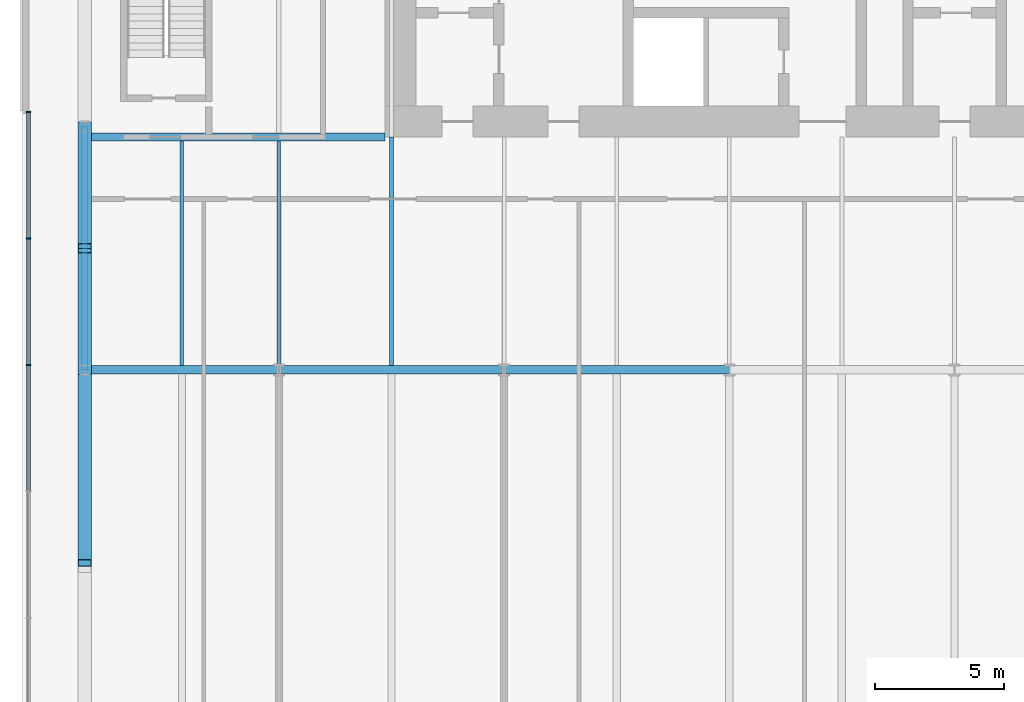
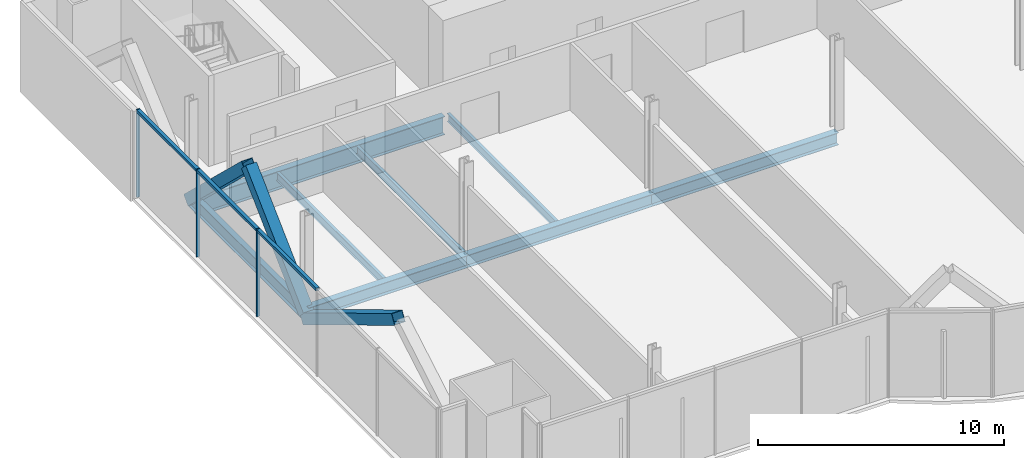
# One storey, part 6 of 21: 9 members, 8 beams, 1 element without a shape of its own.
"""IFC4 building model written with IfcOpenShell, lengths in metres."""

from ifc_helpers import new_model, si_unit, direction, frame, origin, origin_2d, place, context, subcontext, project, spatial, rectangle, hollow_rectangle, i_section, extrude, material, material_profile, profile_set, type_object, element, aggregate, save


model = new_model("IFC4")

# Units and contexts
model_context = context("Model", 3, precision=1e-05, world=origin(), true_north=direction((0.0, 1.0)))
body_context = subcontext(model_context, "Body", "Model", "MODEL_VIEW")
ifc_project = project(units=[si_unit("LENGTHUNIT", "METRE"), si_unit("AREAUNIT", "SQUARE_METRE"), si_unit("VOLUMEUNIT", "CUBIC_METRE"), si_unit("PLANEANGLEUNIT", "RADIAN"), si_unit("MASSUNIT", "GRAM", prefix="KILO")], contexts=[model_context])

# Site, building, storey
site_placement = place(None, origin())
site = spatial("IfcSite", under=ifc_project, at=site_placement, CompositionType="ELEMENT")
building_placement = place(site_placement, origin())
building = spatial("IfcBuilding", under=site, at=building_placement, Name="Bicima Exchange Tower", CompositionType="ELEMENT")
storey_placement = place(building_placement, frame((0.0, 0.0, 75.5)))
storey = spatial("IfcBuildingStorey", under=building, at=storey_placement, Name="L15", CompositionType="ELEMENT", Elevation=75.5)

# Beam
ifc_material_1 = material(Name="Steel ASTM A992 Gr 50", Category="steel")
ifc_material_profile_1 = material_profile(ifc_material_1, i_section(OverallWidth=0.3046875, OverallDepth=0.911865234375, WebThickness=0.015869140625, FlangeThickness=0.02392578125, at=origin_2d()))
ifc_profile_set_1 = profile_set([ifc_material_profile_1], Name="Steel ASTM A992 Gr 50")
beam_type_1 = type_object("IfcBeamType", Name="Core-line girder W36x150", PredefinedType="BEAM", material=ifc_profile_set_1)
beam_1_placement = place(storey_placement, frame((-22.0, -13.0, -0.60595703125), z_axis=(-1.0, 0.0, 0.0), x_axis=(0.0, -1.0, 0.0)))
element("IfcBeam", 1, at=beam_1_placement, inside=storey, type_object=beam_type_1, Name="Core-line girder", PredefinedType="BEAM", context=body_context, shape_type="SweptSolid", body=[
    extrude(i_section(OverallWidth=0.3046875, OverallDepth=0.911865234375, WebThickness=0.015869140625, FlangeThickness=0.02392578125, at=origin_2d()), origin(), (0.0, 0.0, 1.0), 11.60009765625),
])

# Curtain wall, members
ifc_material_2 = material(Name="Anodised bronze aluminium", Category="aluminium")
curtain_wall_type = type_object("IfcCurtainWallType", Name="End face glass wall", PredefinedType="NOTDEFINED", material=ifc_material_2)
curtain_wall_placement = place(storey_placement, origin())
curtain_wall = element("IfcCurtainWall", 2, at=curtain_wall_placement, inside=storey, type_object=curtain_wall_type, Name="End face glass wall L15 run 2", PredefinedType="NOTDEFINED")
ifc_material_profile_2 = material_profile(ifc_material_2, rectangle(XDim=0.159912109375, YDim=0.06005859375, at=origin_2d()))
ifc_profile_set_2 = profile_set([ifc_material_profile_2], Name="Anodised bronze aluminium")
member_type_1 = type_object("IfcMemberType", Name="End face glass wall mullion 60 x 160", PredefinedType="MULLION", material=ifc_profile_set_2)
member_1_placement = place(storey_placement, frame((-35.77001953125, -12.030029296875, 0.0), z_axis=(0.0, 0.0, 1.0), x_axis=(1.0, 0.0, 0.0)))
member_1 = element("IfcMember", 3, at=member_1_placement, type_object=member_type_1, Name="End face glass wall mullion 1", PredefinedType="MULLION", context=body_context, shape_type="SweptSolid", body=[
    extrude(rectangle(XDim=0.159912109375, YDim=0.06005859375, at=origin_2d()), origin(), (0.0, 0.0, 1.0), 4.35009765625),
])
member_2_placement = place(storey_placement, frame((-35.77001953125, -16.916748046875, 0.0), z_axis=(0.0, 0.0, 1.0), x_axis=(1.0, 0.0, 0.0)))
member_2 = element("IfcMember", 4, at=member_2_placement, type_object=member_type_1, Name="End face glass wall mullion 2", PredefinedType="MULLION", context=body_context, shape_type="SweptSolid", body=[
    extrude(rectangle(XDim=0.159912109375, YDim=0.06005859375, at=origin_2d()), origin(), (0.0, 0.0, 1.0), 4.35009765625),
])
member_3_placement = place(storey_placement, frame((-35.77001953125, -21.8037109375, 0.0), z_axis=(0.0, 0.0, 1.0), x_axis=(1.0, 0.0, 0.0)))
member_3 = element("IfcMember", 5, at=member_3_placement, type_object=member_type_1, Name="End face glass wall mullion 3", PredefinedType="MULLION", context=body_context, shape_type="SweptSolid", body=[
    extrude(rectangle(XDim=0.159912109375, YDim=0.06005859375, at=origin_2d()), origin(), (0.0, 0.0, 1.0), 4.35009765625),
])
ifc_material_profile_3 = material_profile(ifc_material_2, rectangle(XDim=0.159912109375, YDim=0.139892578125, at=origin_2d()))
ifc_profile_set_3 = profile_set([ifc_material_profile_3], Name="Anodised bronze aluminium")
member_type_2 = type_object("IfcMemberType", Name="End face glass wall transom 140 x 160", PredefinedType="USERDEFINED", material=ifc_profile_set_3)
member_4_placement = place(storey_placement, frame((-35.77001953125, -12.06005859375, 4.280029296875), z_axis=(0.0, -1.0, 0.0), x_axis=(1.0, 0.0, 0.0)))
member_4 = element("IfcMember", 6, at=member_4_placement, type_object=member_type_2, Name="End face glass wall transom 1.1", ObjectType="TRANSOM", PredefinedType="USERDEFINED", context=body_context, shape_type="SweptSolid", body=[
    extrude(rectangle(XDim=0.159912109375, YDim=0.139892578125, at=origin_2d()), origin(), (0.0, 0.0, 1.0), 4.82666015625),
])
member_5_placement = place(storey_placement, frame((-35.77001953125, -16.94677734375, 4.280029296875), z_axis=(0.0, -1.0, 0.0), x_axis=(1.0, 0.0, 0.0)))
member_5 = element("IfcMember", 7, at=member_5_placement, type_object=member_type_2, Name="End face glass wall transom 2.1", ObjectType="TRANSOM", PredefinedType="USERDEFINED", context=body_context, shape_type="SweptSolid", body=[
    extrude(rectangle(XDim=0.159912109375, YDim=0.139892578125, at=origin_2d()), origin(), (0.0, 0.0, 1.0), 4.826904296875),
])
member_6_placement = place(storey_placement, frame((-35.77001953125, -21.83349609375, 4.280029296875), z_axis=(0.0, -1.0, 0.0), x_axis=(1.0, 0.0, 0.0)))
member_6 = element("IfcMember", 8, at=member_6_placement, type_object=member_type_2, Name="End face glass wall transom 3.1", ObjectType="TRANSOM", PredefinedType="USERDEFINED", context=body_context, shape_type="SweptSolid", body=[
    extrude(rectangle(XDim=0.159912109375, YDim=0.139892578125, at=origin_2d()), origin(), (0.0, 0.0, 1.0), 4.826904296875),
])
aggregate(curtain_wall, [member_1, member_2, member_3, member_4, member_5, member_6])

# Beams
ifc_material_profile_4 = material_profile(ifc_material_1, i_section(OverallWidth=0.256591796875, OverallDepth=0.693359375, WebThickness=0.014404296875, FlangeThickness=0.023681640625, at=origin_2d()))
ifc_profile_set_4 = profile_set([ifc_material_profile_4], Name="Steel ASTM A992 Gr 50")
beam_type_2 = type_object("IfcBeamType", Name="End girder W27x114", PredefinedType="BEAM", material=ifc_profile_set_4)
beam_2_placement = place(storey_placement, frame((-33.60009765625, -12.60009765625, -0.49658203125), z_axis=(0.0, -1.0, 0.0), x_axis=(1.0, 0.0, 0.0)))
element("IfcBeam", 9, at=beam_2_placement, inside=storey, type_object=beam_type_2, Name="End girder", PredefinedType="BEAM", context=body_context, shape_type="SweptSolid", body=[
    extrude(i_section(OverallWidth=0.256591796875, OverallDepth=0.693359375, WebThickness=0.014404296875, FlangeThickness=0.023681640625, at=origin_2d()), origin(), (0.0, 0.0, 1.0), 9.39990234375),
])
ifc_material_profile_5 = material_profile(ifc_material_1, i_section(OverallWidth=0.140380859375, OverallDepth=0.40380859375, WebThickness=0.007080078125, FlangeThickness=0.01123046875, at=origin_2d()))
ifc_profile_set_5 = profile_set([ifc_material_profile_5], Name="Steel ASTM A992 Gr 50")
beam_type_3 = type_object("IfcBeamType", Name="Floor beam W16x31", PredefinedType="JOIST", material=ifc_profile_set_5)
for number, where, z_axis, x_axis, name in (
    (10, (-29.85009765625, -13.15234375, -0.351806640625), (0.0, -1.0, 0.0), (1.0, 0.0, 0.0), "Floor beam"),
    (11, (-26.10009765625, -13.15234375, -0.351806640625), (0.0, -1.0, 0.0), (1.0, 0.0, 0.0), "Floor beam"),
):
    element("IfcBeam", number, at=place(storey_placement, frame(where, z_axis=z_axis, x_axis=x_axis)), inside=storey, type_object=beam_type_3, Name=name, PredefinedType="JOIST", context=body_context, shape_type="SweptSolid", body=[
        extrude(i_section(OverallWidth=0.140380859375, OverallDepth=0.40380859375, WebThickness=0.007080078125, FlangeThickness=0.01123046875, at=origin_2d()), origin(), (0.0, 0.0, 1.0), 8.68505859375),
    ])
beam_3_placement = place(storey_placement, frame((-21.75, -13.0, -0.351806640625), z_axis=(0.0, -1.0, 0.0), x_axis=(1.0, 0.0, 0.0)))
element("IfcBeam", 12, at=beam_3_placement, inside=storey, type_object=beam_type_3, Name="Floor beam", PredefinedType="JOIST", context=body_context, shape_type="SweptSolid", body=[
    extrude(i_section(OverallWidth=0.140380859375, OverallDepth=0.40380859375, WebThickness=0.007080078125, FlangeThickness=0.01123046875, at=origin_2d()), origin(), (0.0, 0.0, 1.0), 8.83740234375),
])

# Members
ifc_material_3 = material(Name="Steel ASTM A572 Gr 50", Category="steel")
ifc_material_profile_6 = material_profile(ifc_material_3, hollow_rectangle(XDim=0.508056640625, YDim=0.508056640625, WallThickness=0.017822265625, at=origin_2d()))
ifc_profile_set_6 = profile_set([ifc_material_profile_6], Name="Steel ASTM A572 Gr 50")
member_type_3 = type_object("IfcMemberType", Name="Mega brace HSS20x20x3/4", PredefinedType="BRACE", material=ifc_profile_set_6)
for number, where, z_axis, x_axis, name in (
    (13, (-33.60009765625, -12.60009765625, -0.49658203125), (0.0, -0.722304421208, 0.691575247608), (1.0, 0.0, 0.0), "Mega brace west end"),
    (14, (-33.60009765625, -22.0, -0.49658203125), (0.0, 0.722304421208, 0.691575247608), (-1.0, 0.0, 0.0), "Mega brace west end"),
):
    element("IfcMember", number, at=place(storey_placement, frame(where, z_axis=z_axis, x_axis=x_axis)), inside=storey, type_object=member_type_3, Name=name, PredefinedType="BRACE", context=body_context, shape_type="SweptSolid", body=[
        extrude(hollow_rectangle(XDim=0.508056640625, YDim=0.508056640625, WallThickness=0.017822265625, at=origin_2d()), origin(), (0.0, 0.0, 1.0), 6.5068359375),
    ])
member_7_placement = place(storey_placement, frame((-33.60009765625, -22.0, -0.69482421875), z_axis=(0.0, -0.856214167593, 0.516621040234), x_axis=(1.0, 0.0, 0.0)))
element("IfcMember", 15, at=member_7_placement, inside=storey, type_object=member_type_3, Name="Mega brace west end", PredefinedType="BRACE", context=body_context, shape_type="SweptSolid", body=[
    extrude(hollow_rectangle(XDim=0.508056640625, YDim=0.508056640625, WallThickness=0.017822265625, at=origin_2d()), origin(), (0.0, 0.0, 1.0), 8.71044921875),
])

# Beams
ifc_material_profile_7 = material_profile(ifc_material_1, i_section(OverallWidth=0.3251953125, OverallDepth=0.612060546875, WebThickness=0.0126953125, FlangeThickness=0.01904296875, at=origin_2d()))
ifc_profile_set_7 = profile_set([ifc_material_profile_7], Name="Steel ASTM A992 Gr 50")
beam_type_4 = type_object("IfcBeamType", Name="Row girder W24x104", PredefinedType="BEAM", material=ifc_profile_set_7)
beam_4_placement = place(storey_placement, frame((-33.60009765625, -22.0, -0.4560546875), z_axis=(1.0, 0.0, 0.0), x_axis=(0.0, 1.0, 0.0)))
element("IfcBeam", 16, at=beam_4_placement, inside=storey, type_object=beam_type_4, Name="Row girder", PredefinedType="BEAM", context=body_context, shape_type="SweptSolid", body=[
    extrude(i_section(OverallWidth=0.3251953125, OverallDepth=0.612060546875, WebThickness=0.0126953125, FlangeThickness=0.01904296875, at=origin_2d()), origin(), (0.0, 0.0, 1.0), 7.5),
])
beam_5_placement = place(storey_placement, frame((-26.10009765625, -22.0, -0.4560546875), z_axis=(1.0, 0.0, 0.0), x_axis=(0.0, 1.0, 0.0)))
element("IfcBeam", 17, at=beam_5_placement, inside=storey, type_object=beam_type_4, Name="Row girder", PredefinedType="BEAM", context=body_context, shape_type="SweptSolid", body=[
    extrude(i_section(OverallWidth=0.3251953125, OverallDepth=0.612060546875, WebThickness=0.0126953125, FlangeThickness=0.01904296875, at=origin_2d()), origin(), (0.0, 0.0, 1.0), 8.7001953125),
])
beam_6_placement = place(storey_placement, frame((-17.39990234375, -22.0, -0.4560546875), z_axis=(1.0, 0.0, 0.0), x_axis=(0.0, 1.0, 0.0)))
element("IfcBeam", 18, at=beam_6_placement, inside=storey, type_object=beam_type_4, Name="Row girder", PredefinedType="BEAM", context=body_context, shape_type="SweptSolid", body=[
    extrude(i_section(OverallWidth=0.3251953125, OverallDepth=0.612060546875, WebThickness=0.0126953125, FlangeThickness=0.01904296875, at=origin_2d()), origin(), (0.0, 0.0, 1.0), 8.699951171875),
])

save(model, "model.ifc")
